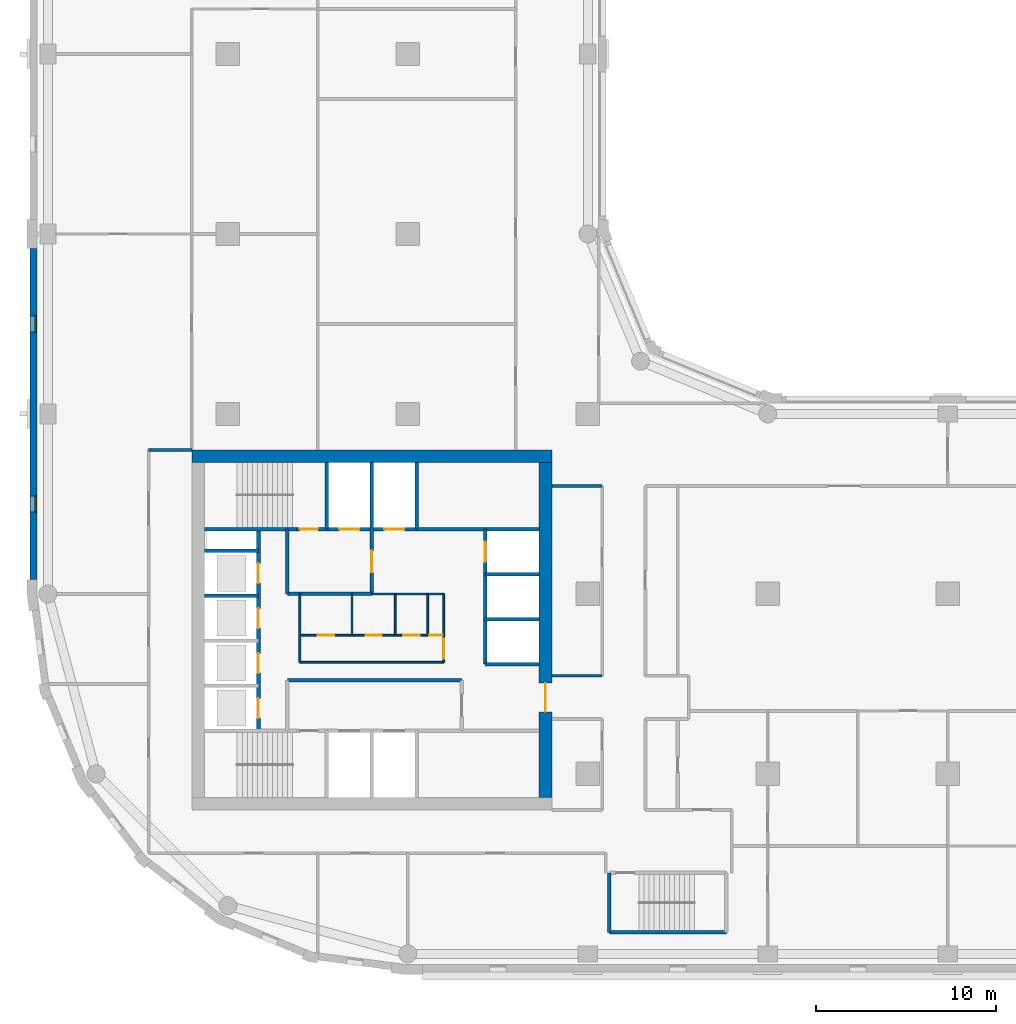
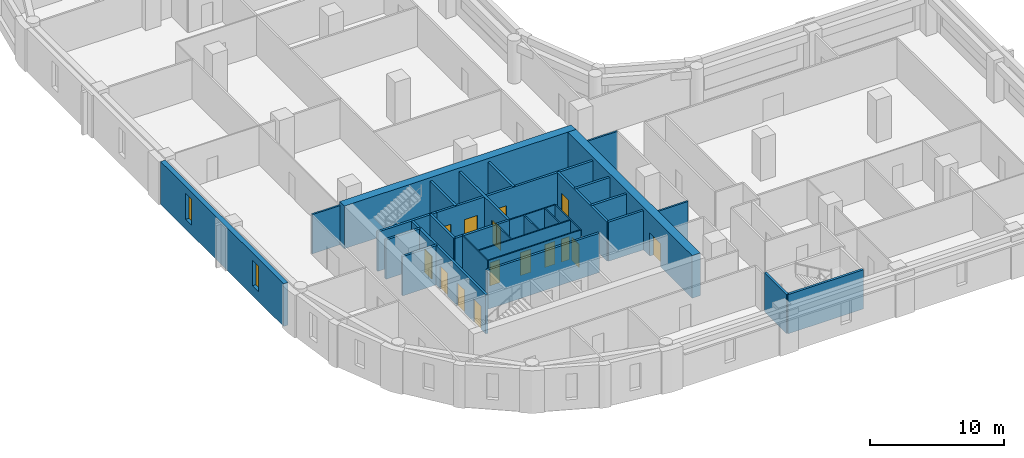
# One storey, part 3 of 10: 31 walls, 15 doors, 2 windows, 17 openings.
"""IFC4 building model written with IfcOpenShell, lengths in metres."""

from ifc_helpers import new_model, si_unit, direction, frame, frame_2d, origin, place, context, subcontext, project, spatial, rectangle, extrude, material, layer, layer_set, type_object, element, fill, save


model = new_model("IFC4")

# Units and contexts
model_context = context("Model", 3, precision=1e-05, world=origin(), true_north=direction((0.0, 1.0)))
body_context = subcontext(model_context, "Body", "Model", "MODEL_VIEW")
ifc_project = project(units=[si_unit("LENGTHUNIT", "METRE"), si_unit("AREAUNIT", "SQUARE_METRE"), si_unit("VOLUMEUNIT", "CUBIC_METRE"), si_unit("PLANEANGLEUNIT", "RADIAN"), si_unit("MASSUNIT", "GRAM", prefix="KILO")], contexts=[model_context])

# Site, building, storey
site_placement = place(None, origin())
site = spatial("IfcSite", under=ifc_project, at=site_placement, CompositionType="ELEMENT")
building_placement = place(site_placement, origin())
building = spatial("IfcBuilding", under=site, at=building_placement, Name="Qaws Garden Tower", CompositionType="ELEMENT")
storey_placement = place(building_placement, frame((0.0, 0.0, 209.699951171875)))
storey = spatial("IfcBuildingStorey", under=building, at=storey_placement, Name="L51", CompositionType="ELEMENT", Elevation=209.699951171875)

# Wall, openings, windows
ifc_material_1 = material(Name="Clay facing brick masonry", Category="masonry")
ifc_layer_1 = layer(ifc_material_1, 0.39990234375)
ifc_layer_set_1 = layer_set([ifc_layer_1], Name="Clay facing brick masonry")
wall_type_1 = type_object("IfcWallType", Name="Brick infill wall 400", PredefinedType="SOLIDWALL", material=ifc_layer_set_1)
wall_1_placement = place(storey_placement, frame((-0.800048828125, 39.199951171875, 0.0), z_axis=(0.0, 0.0, 1.0), x_axis=(0.0, -1.0, 0.0)))
wall_1 = element("IfcWall", 1, at=wall_1_placement, inside=storey, type_object=wall_type_1, Name="E-L51-infill-23", PredefinedType="SOLIDWALL", context=body_context, shape_type="SweptSolid", body=[
    extrude(rectangle(XDim=18.39990234375, YDim=0.39990234375, at=frame_2d((9.199951171875, 0.0))), origin(), (0.0, 0.0, 1.0), 3.900146484375),
])
opening_1_placement = place(wall_1_placement, frame((3.75, 0.0, 0.89990234375)))
opening_1 = element("IfcOpeningElement", 2, at=opening_1_placement, cuts=wall_1, Name="Opening W09", PredefinedType="OPENING", context=body_context, shape_type="SweptSolid", body=[
    extrude(rectangle(XDim=0.89990234375, YDim=2.35009765625, at=frame_2d((0.449951171875, 1.175048828125))), frame((0.0, 0.2099609375, 0.0), z_axis=(0.0, -1.0, 0.0), x_axis=(1.0, 0.0, 0.0)), (0.0, 0.0, 1.0), 0.419921875),
])
opening_2_placement = place(wall_1_placement, frame((13.75, 0.0, 0.89990234375)))
opening_2 = element("IfcOpeningElement", 3, at=opening_2_placement, cuts=wall_1, Name="Opening W09", PredefinedType="OPENING", context=body_context, shape_type="SweptSolid", body=[
    extrude(rectangle(XDim=0.89990234375, YDim=2.35009765625, at=frame_2d((0.449951171875, 1.175048828125))), frame((0.0, 0.2099609375, 0.0), z_axis=(0.0, -1.0, 0.0), x_axis=(1.0, 0.0, 0.0)), (0.0, 0.0, 1.0), 0.419921875),
])
ifc_material_2 = material(Name="Aluminium framed window, clear glazing", Category="aluminium")
window_type = type_object("IfcWindowType", Name="Slit window 900 x 2350", PartitioningType="SINGLE_PANEL", PredefinedType="WINDOW", material=ifc_material_2)
window_1_placement = place(opening_1_placement, origin())
window_1 = element("IfcWindow", 4, at=window_1_placement, inside=storey, type_object=window_type, Name="E-L51-window-23-0", OverallHeight=2.35009765625, OverallWidth=0.89990234375, PartitioningType="SINGLE_PANEL", PredefinedType="WINDOW", context=body_context, shape_type="SweptSolid", body=[
    extrude(rectangle(XDim=0.89990234375, YDim=2.35009765625, at=frame_2d((0.449951171875, 1.175048828125))), frame((0.0, 0.159912109375, 0.0), z_axis=(0.0, -1.0, 0.0), x_axis=(1.0, 0.0, 0.0)), (0.0, 0.0, 1.0), 0.06005859375),
])
fill(opening_1, window_1)
window_2_placement = place(opening_2_placement, origin())
window_2 = element("IfcWindow", 5, at=window_2_placement, inside=storey, type_object=window_type, Name="E-L51-window-24-0", OverallHeight=2.35009765625, OverallWidth=0.89990234375, PartitioningType="SINGLE_PANEL", PredefinedType="WINDOW", context=body_context, shape_type="SweptSolid", body=[
    extrude(rectangle(XDim=0.89990234375, YDim=2.35009765625, at=frame_2d((0.449951171875, 1.175048828125))), frame((0.0, 0.159912109375, 0.0), z_axis=(0.0, -1.0, 0.0), x_axis=(1.0, 0.0, 0.0)), (0.0, 0.0, 1.0), 0.06005859375),
])
fill(opening_2, window_2)

# Wall
ifc_material_3 = material(Name="Plasterboard")
ifc_layer_2 = layer(ifc_material_3, 0.10009765625)
ifc_layer_set_2 = layer_set([ifc_layer_2], Name="Plasterboard")
wall_type_2 = type_object("IfcWallType", Name="Core partition 100", PredefinedType="PARTITIONING", material=ifc_layer_set_2)
wall_2_placement = place(storey_placement, frame((14.0, 16.199951171875, 0.0), z_axis=(0.0, 0.0, 1.0), x_axis=(1.0, 0.0, 0.0)))
element("IfcWall", 6, at=wall_2_placement, inside=storey, type_object=wall_type_2, Name="Core partition", PredefinedType="PARTITIONING", context=body_context, shape_type="SweptSolid", body=[
    extrude(rectangle(XDim=8.0, YDim=0.10009765625, at=frame_2d((4.0, 0.0))), origin(), (0.0, 0.0, 1.0), 3.580078125),
])

# Wall, openings, doors
wall_3_placement = place(storey_placement, frame((14.0, 17.699951171875, 0.0), z_axis=(0.0, 0.0, 1.0), x_axis=(1.0, 0.0, 0.0)))
wall_3 = element("IfcWall", 7, at=wall_3_placement, inside=storey, type_object=wall_type_2, Name="Core partition", PredefinedType="PARTITIONING", context=body_context, shape_type="SweptSolid", body=[
    extrude(rectangle(XDim=8.0, YDim=0.10009765625, at=frame_2d((4.0, 0.0))), origin(), (0.0, 0.0, 1.0), 3.580078125),
])
opening_3_placement = place(wall_3_placement, frame((1.0, 0.0, 0.0)))
opening_3 = element("IfcOpeningElement", 8, at=opening_3_placement, cuts=wall_3, Name="Opening WD18", PredefinedType="OPENING", context=body_context, shape_type="SweptSolid", body=[
    extrude(rectangle(XDim=0.89990234375, YDim=2.10009765625, at=frame_2d((0.449951171875, 1.050048828125))), frame((0.0, 0.06005859375, 0.0), z_axis=(0.0, -1.0, 0.0), x_axis=(1.0, 0.0, 0.0)), (0.0, 0.0, 1.0), 0.1201171875),
])
opening_4_placement = place(wall_3_placement, frame((3.64990234375, 0.0, 0.0)))
opening_4 = element("IfcOpeningElement", 9, at=opening_4_placement, cuts=wall_3, Name="Opening WD19", PredefinedType="OPENING", context=body_context, shape_type="SweptSolid", body=[
    extrude(rectangle(XDim=0.89990234375, YDim=2.10009765625, at=frame_2d((0.449951171875, 1.050048828125))), frame((0.0, 0.06005859375, 0.0), z_axis=(0.0, -1.0, 0.0), x_axis=(1.0, 0.0, 0.0)), (0.0, 0.0, 1.0), 0.1201171875),
])
opening_5_placement = place(wall_3_placement, frame((5.75, 0.0, 0.0)))
opening_5 = element("IfcOpeningElement", 10, at=opening_5_placement, cuts=wall_3, Name="Opening WD20", PredefinedType="OPENING", context=body_context, shape_type="SweptSolid", body=[
    extrude(rectangle(XDim=0.89990234375, YDim=2.10009765625, at=frame_2d((0.449951171875, 1.050048828125))), frame((0.0, 0.06005859375, 0.0), z_axis=(0.0, -1.0, 0.0), x_axis=(1.0, 0.0, 0.0)), (0.0, 0.0, 1.0), 0.1201171875),
])
opening_6_placement = place(wall_3_placement, frame((7.199951171875, 0.0, 0.0)))
opening_6 = element("IfcOpeningElement", 11, at=opening_6_placement, cuts=wall_3, Name="Opening XD21", PredefinedType="OPENING", context=body_context, shape_type="SweptSolid", body=[
    extrude(rectangle(XDim=0.699951171875, YDim=2.10009765625, at=frame_2d((0.35009765625, 1.050048828125))), frame((0.0, 0.06005859375, 0.0), z_axis=(0.0, -1.0, 0.0), x_axis=(1.0, 0.0, 0.0)), (0.0, 0.0, 1.0), 0.1201171875),
])
ifc_material_4 = material(Name="Timber", Category="wood")
door_type_1 = type_object("IfcDoorType", Name="Store door 700x2100", OperationType="SINGLE_SWING_LEFT", PredefinedType="DOOR", material=ifc_material_4)
door_1_placement = place(opening_6_placement, origin())
door_1 = element("IfcDoor", 12, at=door_1_placement, inside=storey, type_object=door_type_1, Name="Cleaner's store door", OperationType="SINGLE_SWING_RIGHT", OverallHeight=2.10009765625, OverallWidth=0.699951171875, PredefinedType="DOOR", context=body_context, shape_type="SweptSolid", body=[
    extrude(rectangle(XDim=0.699951171875, YDim=2.10009765625, at=frame_2d((0.35009765625, 1.050048828125))), frame((0.0, 0.02490234375, 0.0), z_axis=(0.0, -1.0, 0.0), x_axis=(1.0, 0.0, 0.0)), (0.0, 0.0, 1.0), 0.050048828125),
])
fill(opening_6, door_1)
ifc_material_5 = material(Name="Timber", Category="wood")
door_type_2 = type_object("IfcDoorType", Name="WC door 900x2100", OperationType="SINGLE_SWING_LEFT", PredefinedType="DOOR", material=ifc_material_5)
door_2_placement = place(opening_3_placement, origin())
door_2 = element("IfcDoor", 13, at=door_2_placement, inside=storey, type_object=door_type_2, Name="Women's WC door", OperationType="SINGLE_SWING_RIGHT", OverallHeight=2.10009765625, OverallWidth=0.89990234375, PredefinedType="DOOR", context=body_context, shape_type="SweptSolid", body=[
    extrude(rectangle(XDim=0.89990234375, YDim=2.10009765625, at=frame_2d((0.449951171875, 1.050048828125))), frame((0.0, 0.02490234375, 0.0), z_axis=(0.0, -1.0, 0.0), x_axis=(1.0, 0.0, 0.0)), (0.0, 0.0, 1.0), 0.050048828125),
])
fill(opening_3, door_2)
door_3_placement = place(opening_4_placement, origin())
door_3 = element("IfcDoor", 14, at=door_3_placement, inside=storey, type_object=door_type_2, Name="Men's WC door", OperationType="SINGLE_SWING_RIGHT", OverallHeight=2.10009765625, OverallWidth=0.89990234375, PredefinedType="DOOR", context=body_context, shape_type="SweptSolid", body=[
    extrude(rectangle(XDim=0.89990234375, YDim=2.10009765625, at=frame_2d((0.449951171875, 1.050048828125))), frame((0.0, 0.02490234375, 0.0), z_axis=(0.0, -1.0, 0.0), x_axis=(1.0, 0.0, 0.0)), (0.0, 0.0, 1.0), 0.050048828125),
])
fill(opening_4, door_3)
door_4_placement = place(opening_5_placement, origin())
door_4 = element("IfcDoor", 15, at=door_4_placement, inside=storey, type_object=door_type_2, Name="Accessible WC door", OperationType="SINGLE_SWING_RIGHT", OverallHeight=2.10009765625, OverallWidth=0.89990234375, PredefinedType="DOOR", context=body_context, shape_type="SweptSolid", body=[
    extrude(rectangle(XDim=0.89990234375, YDim=2.10009765625, at=frame_2d((0.449951171875, 1.050048828125))), frame((0.0, 0.02490234375, 0.0), z_axis=(0.0, -1.0, 0.0), x_axis=(1.0, 0.0, 0.0)), (0.0, 0.0, 1.0), 0.050048828125),
])
fill(opening_5, door_4)

# Walls
wall_4_placement = place(storey_placement, frame((18.0, 20.0, 0.0), z_axis=(0.0, 0.0, 1.0), x_axis=(1.0, 0.0, 0.0)))
element("IfcWall", 16, at=wall_4_placement, inside=storey, type_object=wall_type_2, Name="Core partition", PredefinedType="PARTITIONING", context=body_context, shape_type="SweptSolid", body=[
    extrude(rectangle(XDim=4.0, YDim=0.10009765625, at=frame_2d((2.0, 0.0))), origin(), (0.0, 0.0, 1.0), 3.580078125),
])
wall_5_placement = place(storey_placement, frame((14.0, 16.199951171875, 0.0), z_axis=(0.0, 0.0, 1.0), x_axis=(0.0, 1.0, 0.0)))
element("IfcWall", 17, at=wall_5_placement, inside=storey, type_object=wall_type_2, Name="Core partition", PredefinedType="PARTITIONING", context=body_context, shape_type="SweptSolid", body=[
    extrude(rectangle(XDim=3.800048828125, YDim=0.10009765625, at=frame_2d((1.89990234375, 0.0))), origin(), (0.0, 0.0, 1.0), 3.580078125),
])
for number, where, z_axis, x_axis, name in (
    (18, (16.89990234375, 17.699951171875, 0.0), (0.0, 0.0, 1.0), (0.0, 1.0, 0.0), "Core partition"),
    (19, (19.300048828125, 17.699951171875, 0.0), (0.0, 0.0, 1.0), (0.0, 1.0, 0.0), "Core partition"),
    (20, (21.10009765625, 17.699951171875, 0.0), (0.0, 0.0, 1.0), (0.0, 1.0, 0.0), "Core partition"),
):
    element("IfcWall", number, at=place(storey_placement, frame(where, z_axis=z_axis, x_axis=x_axis)), inside=storey, type_object=wall_type_2, Name=name, PredefinedType="PARTITIONING", context=body_context, shape_type="SweptSolid", body=[
        extrude(rectangle(XDim=2.300048828125, YDim=0.10009765625, at=frame_2d((1.14990234375, 0.0))), origin(), (0.0, 0.0, 1.0), 3.580078125),
    ])

# Wall, opening, door
wall_6_placement = place(storey_placement, frame((22.0, 16.199951171875, 0.0), z_axis=(0.0, 0.0, 1.0), x_axis=(0.0, 1.0, 0.0)))
wall_6 = element("IfcWall", 21, at=wall_6_placement, inside=storey, type_object=wall_type_2, Name="Core partition", PredefinedType="PARTITIONING", context=body_context, shape_type="SweptSolid", body=[
    extrude(rectangle(XDim=3.800048828125, YDim=0.10009765625, at=frame_2d((1.89990234375, 0.0))), origin(), (0.0, 0.0, 1.0), 3.580078125),
])
opening_7_placement = place(wall_6_placement, frame((0.199951171875, 0.0, 0.0)))
opening_7 = element("IfcOpeningElement", 22, at=opening_7_placement, cuts=wall_6, Name="Opening WL17", PredefinedType="OPENING", context=body_context, shape_type="SweptSolid", body=[
    extrude(rectangle(XDim=1.10009765625, YDim=2.10009765625, at=frame_2d((0.550048828125, 1.050048828125))), frame((0.0, 0.06005859375, 0.0), z_axis=(0.0, -1.0, 0.0), x_axis=(1.0, 0.0, 0.0)), (0.0, 0.0, 1.0), 0.1201171875),
])
ifc_material_6 = material(Name="Timber", Category="wood")
door_type_3 = type_object("IfcDoorType", Name="WC lobby door 1100x2100", OperationType="SINGLE_SWING_LEFT", PredefinedType="DOOR", material=ifc_material_6)
door_5_placement = place(opening_7_placement, origin())
door_5 = element("IfcDoor", 23, at=door_5_placement, inside=storey, type_object=door_type_3, Name="WC lobby door", OperationType="SINGLE_SWING_RIGHT", OverallHeight=2.10009765625, OverallWidth=1.10009765625, PredefinedType="DOOR", context=body_context, shape_type="SweptSolid", body=[
    extrude(rectangle(XDim=1.10009765625, YDim=2.10009765625, at=frame_2d((0.550048828125, 1.050048828125))), frame((0.0, 0.02490234375, 0.0), z_axis=(0.0, -1.0, 0.0), x_axis=(1.0, 0.0, 0.0)), (0.0, 0.0, 1.0), 0.050048828125),
])
fill(opening_7, door_5)

# Walls
ifc_material_7 = material(Name="Concrete C70", Category="concrete")
ifc_layer_3 = layer(ifc_material_7, 0.199951171875)
ifc_layer_set_3 = layer_set([ifc_layer_3], Name="Concrete C70")
wall_type_3 = type_object("IfcWallType", Name="Core shaft wall 200 C70", PredefinedType="SHEAR", material=ifc_layer_set_3)
wall_7_placement = place(storey_placement, frame((31.199951171875, 1.199951171875, 0.0), z_axis=(0.0, 0.0, 1.0), x_axis=(1.0, 0.0, 0.0)))
element("IfcWall", 24, at=wall_7_placement, inside=storey, type_object=wall_type_3, Name="Shaft wall", PredefinedType="SHEAR", context=body_context, shape_type="SweptSolid", body=[
    extrude(rectangle(XDim=6.5, YDim=0.199951171875, at=frame_2d((3.25, 0.0))), origin(), (0.0, 0.0, 1.0), 3.580078125),
])
wall_8_placement = place(storey_placement, frame((13.300048828125, 15.199951171875, 0.0), z_axis=(0.0, 0.0, 1.0), x_axis=(1.0, 0.0, 0.0)))
element("IfcWall", 25, at=wall_8_placement, inside=storey, type_object=wall_type_3, Name="Shaft wall", PredefinedType="SHEAR", context=body_context, shape_type="SweptSolid", body=[
    extrude(rectangle(XDim=9.699951171875, YDim=0.199951171875, at=frame_2d((4.85009765625, 0.0))), origin(), (0.0, 0.0, 1.0), 3.580078125),
])
for number, where, z_axis, x_axis, name in (
    (26, (24.300048828125, 16.10009765625, 0.0), (0.0, 0.0, 1.0), (1.0, 0.0, 0.0), "Shaft wall"),
    (27, (24.300048828125, 18.60009765625, 0.0), (0.0, 0.0, 1.0), (1.0, 0.0, 0.0), "Shaft wall"),
    (28, (8.699951171875, 19.89990234375, 0.0), (0.0, 0.0, 1.0), (1.0, 0.0, 0.0), "Shaft wall"),
):
    element("IfcWall", number, at=place(storey_placement, frame(where, z_axis=z_axis, x_axis=x_axis)), inside=storey, type_object=wall_type_3, Name=name, PredefinedType="SHEAR", context=body_context, shape_type="SweptSolid", body=[
        extrude(rectangle(XDim=3.0, YDim=0.199951171875, at=frame_2d((1.5, 0.0))), origin(), (0.0, 0.0, 1.0), 3.580078125),
    ])
wall_9_placement = place(storey_placement, frame((13.300048828125, 20.0, 0.0), z_axis=(0.0, 0.0, 1.0), x_axis=(1.0, 0.0, 0.0)))
element("IfcWall", 29, at=wall_9_placement, inside=storey, type_object=wall_type_3, Name="Shaft wall", PredefinedType="SHEAR", context=body_context, shape_type="SweptSolid", body=[
    extrude(rectangle(XDim=4.699951171875, YDim=0.199951171875, at=frame_2d((2.35009765625, 0.0))), origin(), (0.0, 0.0, 1.0), 3.580078125),
])
for number, where, z_axis, x_axis, name in (
    (30, (24.300048828125, 21.10009765625, 0.0), (0.0, 0.0, 1.0), (1.0, 0.0, 0.0), "Shaft wall"),
    (31, (8.699951171875, 22.39990234375, 0.0), (0.0, 0.0, 1.0), (1.0, 0.0, 0.0), "Shaft wall"),
):
    element("IfcWall", number, at=place(storey_placement, frame(where, z_axis=z_axis, x_axis=x_axis)), inside=storey, type_object=wall_type_3, Name=name, PredefinedType="SHEAR", context=body_context, shape_type="SweptSolid", body=[
        extrude(rectangle(XDim=3.0, YDim=0.199951171875, at=frame_2d((1.5, 0.0))), origin(), (0.0, 0.0, 1.0), 3.580078125),
    ])
wall_10_placement = place(storey_placement, frame((8.699951171875, 23.60009765625, 0.0), z_axis=(0.0, 0.0, 1.0), x_axis=(1.0, 0.0, 0.0)))
element("IfcWall", 32, at=wall_10_placement, inside=storey, type_object=wall_type_3, Name="Shaft wall", PredefinedType="SHEAR", context=body_context, shape_type="SweptSolid", body=[
    extrude(rectangle(XDim=5.10009765625, YDim=0.199951171875, at=frame_2d((2.550048828125, 0.0))), origin(), (0.0, 0.0, 1.0), 3.580078125),
])

# Wall, openings, doors
wall_11_placement = place(storey_placement, frame((13.800048828125, 23.60009765625, 0.0), z_axis=(0.0, 0.0, 1.0), x_axis=(1.0, 0.0, 0.0)))
wall_11 = element("IfcWall", 33, at=wall_11_placement, inside=storey, type_object=wall_type_3, Name="Shaft wall", PredefinedType="SHEAR", context=body_context, shape_type="SweptSolid", body=[
    extrude(rectangle(XDim=13.5, YDim=0.199951171875, at=frame_2d((6.75, 0.0))), origin(), (0.0, 0.0, 1.0), 3.580078125),
])
opening_8_placement = place(wall_11_placement, frame((2.39990234375, 0.0, 0.0)))
opening_8 = element("IfcOpeningElement", 34, at=opening_8_placement, cuts=wall_11, Name="Opening LD08", PredefinedType="OPENING", context=body_context, shape_type="SweptSolid", body=[
    extrude(rectangle(XDim=1.10009765625, YDim=2.10009765625, at=frame_2d((0.550048828125, 1.050048828125))), frame((0.0, 0.10986328125, 0.0), z_axis=(0.0, -1.0, 0.0), x_axis=(1.0, 0.0, 0.0)), (0.0, 0.0, 1.0), 0.219970703125),
])
opening_9_placement = place(wall_11_placement, frame((4.89990234375, 0.0, 0.0)))
opening_9 = element("IfcOpeningElement", 35, at=opening_9_placement, cuts=wall_11, Name="Opening LD09", PredefinedType="OPENING", context=body_context, shape_type="SweptSolid", body=[
    extrude(rectangle(XDim=1.10009765625, YDim=2.10009765625, at=frame_2d((0.550048828125, 1.050048828125))), frame((0.0, 0.10986328125, 0.0), z_axis=(0.0, -1.0, 0.0), x_axis=(1.0, 0.0, 0.0)), (0.0, 0.0, 1.0), 0.219970703125),
])
opening_10_placement = place(wall_11_placement, frame((0.199951171875, 0.0, 0.0)))
opening_10 = element("IfcOpeningElement", 36, at=opening_10_placement, cuts=wall_11, Name="Opening SD11", PredefinedType="OPENING", context=body_context, shape_type="SweptSolid", body=[
    extrude(rectangle(XDim=1.0, YDim=2.10009765625, at=frame_2d((0.5, 1.050048828125))), frame((0.0, 0.10986328125, 0.0), z_axis=(0.0, -1.0, 0.0), x_axis=(1.0, 0.0, 0.0)), (0.0, 0.0, 1.0), 0.219970703125),
])
ifc_material_8 = material(Name="Steel S235", Category="steel")
door_type_4 = type_object("IfcDoorType", Name="Landing door 1100x2100", OperationType="DOUBLE_DOOR_SLIDING", PredefinedType="DOOR", material=ifc_material_8)
door_6_placement = place(opening_8_placement, origin())
door_6 = element("IfcDoor", 37, at=door_6_placement, inside=storey, type_object=door_type_4, Name="Lift FF3 landing door", OperationType="DOUBLE_DOOR_SLIDING", OverallHeight=2.10009765625, OverallWidth=1.10009765625, PredefinedType="DOOR", context=body_context, shape_type="SweptSolid", body=[
    extrude(rectangle(XDim=1.10009765625, YDim=2.10009765625, at=frame_2d((0.550048828125, 1.050048828125))), frame((0.0, 0.02490234375, 0.0), z_axis=(0.0, -1.0, 0.0), x_axis=(1.0, 0.0, 0.0)), (0.0, 0.0, 1.0), 0.050048828125),
])
fill(opening_8, door_6)
door_7_placement = place(opening_9_placement, origin())
door_7 = element("IfcDoor", 38, at=door_7_placement, inside=storey, type_object=door_type_4, Name="Lift SV2 landing door", OperationType="DOUBLE_DOOR_SLIDING", OverallHeight=2.10009765625, OverallWidth=1.10009765625, PredefinedType="DOOR", context=body_context, shape_type="SweptSolid", body=[
    extrude(rectangle(XDim=1.10009765625, YDim=2.10009765625, at=frame_2d((0.550048828125, 1.050048828125))), frame((0.0, 0.02490234375, 0.0), z_axis=(0.0, -1.0, 0.0), x_axis=(1.0, 0.0, 0.0)), (0.0, 0.0, 1.0), 0.050048828125),
])
fill(opening_9, door_7)
ifc_material_9 = material(Name="Steel S235", Category="steel")
door_type_5 = type_object("IfcDoorType", Name="Stair door 1000x2100", OperationType="SINGLE_SWING_RIGHT", PredefinedType="DOOR", material=ifc_material_9)
door_8_placement = place(opening_10_placement, origin())
door_8 = element("IfcDoor", 39, at=door_8_placement, inside=storey, type_object=door_type_5, Name="Stair 4 door", OperationType="SINGLE_SWING_RIGHT", OverallHeight=2.10009765625, OverallWidth=1.0, PredefinedType="DOOR", context=body_context, shape_type="SweptSolid", body=[
    extrude(rectangle(XDim=1.0, YDim=2.10009765625, at=frame_2d((0.5, 1.050048828125))), frame((0.0, 0.02490234375, 0.0), z_axis=(0.0, -1.0, 0.0), x_axis=(1.0, 0.0, 0.0)), (0.0, 0.0, 1.0), 0.050048828125),
])
fill(opening_10, door_8)

wall_12_placement = place(storey_placement, frame((11.699951171875, 12.39990234375, 0.0), z_axis=(0.0, 0.0, 1.0), x_axis=(0.0, 1.0, 0.0)))
wall_12 = element("IfcWall", 40, at=wall_12_placement, inside=storey, type_object=wall_type_3, Name="Shaft wall", PredefinedType="SHEAR", context=body_context, shape_type="SweptSolid", body=[
    extrude(rectangle(XDim=11.2001953125, YDim=0.199951171875, at=frame_2d((5.60009765625, 0.0))), origin(), (0.0, 0.0, 1.0), 3.580078125),
])
opening_11_placement = place(wall_12_placement, frame((0.699951171875, 0.0, 0.0)))
opening_11 = element("IfcOpeningElement", 41, at=opening_11_placement, cuts=wall_12, Name="Opening LD01", PredefinedType="OPENING", context=body_context, shape_type="SweptSolid", body=[
    extrude(rectangle(XDim=1.10009765625, YDim=2.10009765625, at=frame_2d((0.550048828125, 1.050048828125))), frame((0.0, 0.10986328125, 0.0), z_axis=(0.0, -1.0, 0.0), x_axis=(1.0, 0.0, 0.0)), (0.0, 0.0, 1.0), 0.219970703125),
])
opening_12_placement = place(wall_12_placement, frame((3.199951171875, 0.0, 0.0)))
opening_12 = element("IfcOpeningElement", 42, at=opening_12_placement, cuts=wall_12, Name="Opening LD02", PredefinedType="OPENING", context=body_context, shape_type="SweptSolid", body=[
    extrude(rectangle(XDim=1.10009765625, YDim=2.10009765625, at=frame_2d((0.550048828125, 1.050048828125))), frame((0.0, 0.10986328125, 0.0), z_axis=(0.0, -1.0, 0.0), x_axis=(1.0, 0.0, 0.0)), (0.0, 0.0, 1.0), 0.219970703125),
])
opening_13_placement = place(wall_12_placement, frame((5.699951171875, 0.0, 0.0)))
opening_13 = element("IfcOpeningElement", 43, at=opening_13_placement, cuts=wall_12, Name="Opening LD03", PredefinedType="OPENING", context=body_context, shape_type="SweptSolid", body=[
    extrude(rectangle(XDim=1.10009765625, YDim=2.10009765625, at=frame_2d((0.550048828125, 1.050048828125))), frame((0.0, 0.10986328125, 0.0), z_axis=(0.0, -1.0, 0.0), x_axis=(1.0, 0.0, 0.0)), (0.0, 0.0, 1.0), 0.219970703125),
])
opening_14_placement = place(wall_12_placement, frame((8.199951171875, 0.0, 0.0)))
opening_14 = element("IfcOpeningElement", 44, at=opening_14_placement, cuts=wall_12, Name="Opening LD04", PredefinedType="OPENING", context=body_context, shape_type="SweptSolid", body=[
    extrude(rectangle(XDim=1.10009765625, YDim=2.10009765625, at=frame_2d((0.550048828125, 1.050048828125))), frame((0.0, 0.10986328125, 0.0), z_axis=(0.0, -1.0, 0.0), x_axis=(1.0, 0.0, 0.0)), (0.0, 0.0, 1.0), 0.219970703125),
])
door_9_placement = place(opening_11_placement, origin())
door_9 = element("IfcDoor", 45, at=door_9_placement, inside=storey, type_object=door_type_4, Name="Lift W1 landing door", OperationType="DOUBLE_DOOR_SLIDING", OverallHeight=2.10009765625, OverallWidth=1.10009765625, PredefinedType="DOOR", context=body_context, shape_type="SweptSolid", body=[
    extrude(rectangle(XDim=1.10009765625, YDim=2.10009765625, at=frame_2d((0.550048828125, 1.050048828125))), frame((0.0, 0.02490234375, 0.0), z_axis=(0.0, -1.0, 0.0), x_axis=(1.0, 0.0, 0.0)), (0.0, 0.0, 1.0), 0.050048828125),
])
fill(opening_11, door_9)
door_10_placement = place(opening_12_placement, origin())
door_10 = element("IfcDoor", 46, at=door_10_placement, inside=storey, type_object=door_type_4, Name="Lift W2 landing door", OperationType="DOUBLE_DOOR_SLIDING", OverallHeight=2.10009765625, OverallWidth=1.10009765625, PredefinedType="DOOR", context=body_context, shape_type="SweptSolid", body=[
    extrude(rectangle(XDim=1.10009765625, YDim=2.10009765625, at=frame_2d((0.550048828125, 1.050048828125))), frame((0.0, 0.02490234375, 0.0), z_axis=(0.0, -1.0, 0.0), x_axis=(1.0, 0.0, 0.0)), (0.0, 0.0, 1.0), 0.050048828125),
])
fill(opening_12, door_10)
door_11_placement = place(opening_13_placement, origin())
door_11 = element("IfcDoor", 47, at=door_11_placement, inside=storey, type_object=door_type_4, Name="Lift W3 landing door", OperationType="DOUBLE_DOOR_SLIDING", OverallHeight=2.10009765625, OverallWidth=1.10009765625, PredefinedType="DOOR", context=body_context, shape_type="SweptSolid", body=[
    extrude(rectangle(XDim=1.10009765625, YDim=2.10009765625, at=frame_2d((0.550048828125, 1.050048828125))), frame((0.0, 0.02490234375, 0.0), z_axis=(0.0, -1.0, 0.0), x_axis=(1.0, 0.0, 0.0)), (0.0, 0.0, 1.0), 0.050048828125),
])
fill(opening_13, door_11)
door_12_placement = place(opening_14_placement, origin())
door_12 = element("IfcDoor", 48, at=door_12_placement, inside=storey, type_object=door_type_4, Name="Lift W4 landing door", OperationType="DOUBLE_DOOR_SLIDING", OverallHeight=2.10009765625, OverallWidth=1.10009765625, PredefinedType="DOOR", context=body_context, shape_type="SweptSolid", body=[
    extrude(rectangle(XDim=1.10009765625, YDim=2.10009765625, at=frame_2d((0.550048828125, 1.050048828125))), frame((0.0, 0.02490234375, 0.0), z_axis=(0.0, -1.0, 0.0), x_axis=(1.0, 0.0, 0.0)), (0.0, 0.0, 1.0), 0.050048828125),
])
fill(opening_14, door_12)

# Walls
wall_13_placement = place(storey_placement, frame((13.300048828125, 20.0, 0.0), z_axis=(0.0, 0.0, 1.0), x_axis=(0.0, 1.0, 0.0)))
element("IfcWall", 49, at=wall_13_placement, inside=storey, type_object=wall_type_3, Name="Shaft wall", PredefinedType="SHEAR", context=body_context, shape_type="SweptSolid", body=[
    extrude(rectangle(XDim=3.60009765625, YDim=0.199951171875, at=frame_2d((1.800048828125, 0.0))), origin(), (0.0, 0.0, 1.0), 3.580078125),
])
wall_14_placement = place(storey_placement, frame((15.5, 23.60009765625, 0.0), z_axis=(0.0, 0.0, 1.0), x_axis=(0.0, 1.0, 0.0)))
element("IfcWall", 50, at=wall_14_placement, inside=storey, type_object=wall_type_3, Name="Shaft wall", PredefinedType="SHEAR", context=body_context, shape_type="SweptSolid", body=[
    extrude(rectangle(XDim=3.699951171875, YDim=0.199951171875, at=frame_2d((1.85009765625, 0.0))), origin(), (0.0, 0.0, 1.0), 3.580078125),
])

# Wall, opening, door
wall_15_placement = place(storey_placement, frame((18.0, 20.0, 0.0), z_axis=(0.0, 0.0, 1.0), x_axis=(0.0, 1.0, 0.0)))
wall_15 = element("IfcWall", 51, at=wall_15_placement, inside=storey, type_object=wall_type_3, Name="Shaft wall", PredefinedType="SHEAR", context=body_context, shape_type="SweptSolid", body=[
    extrude(rectangle(XDim=7.300048828125, YDim=0.199951171875, at=frame_2d((3.64990234375, 0.0))), origin(), (0.0, 0.0, 1.0), 3.580078125),
])
opening_15_placement = place(wall_15_placement, frame((1.199951171875, 0.0, 0.0)))
opening_15 = element("IfcOpeningElement", 52, at=opening_15_placement, cuts=wall_15, Name="Opening FD16", PredefinedType="OPENING", context=body_context, shape_type="SweptSolid", body=[
    extrude(rectangle(XDim=1.199951171875, YDim=2.10009765625, at=frame_2d((0.60009765625, 1.050048828125))), frame((0.0, 0.10986328125, 0.0), z_axis=(0.0, -1.0, 0.0), x_axis=(1.0, 0.0, 0.0)), (0.0, 0.0, 1.0), 0.219970703125),
])
ifc_material_10 = material(Name="Steel S235", Category="steel")
door_type_6 = type_object("IfcDoorType", Name="Lobby door 1200x2100", OperationType="DOUBLE_DOOR_SINGLE_SWING", PredefinedType="DOOR", material=ifc_material_10)
door_13_placement = place(opening_15_placement, origin())
door_13 = element("IfcDoor", 53, at=door_13_placement, inside=storey, type_object=door_type_6, Name="Fire-fighting lobby door", OperationType="DOUBLE_DOOR_SINGLE_SWING", OverallHeight=2.10009765625, OverallWidth=1.199951171875, PredefinedType="DOOR", context=body_context, shape_type="SweptSolid", body=[
    extrude(rectangle(XDim=1.199951171875, YDim=2.10009765625, at=frame_2d((0.60009765625, 1.050048828125))), frame((0.0, 0.02490234375, 0.0), z_axis=(0.0, -1.0, 0.0), x_axis=(1.0, 0.0, 0.0)), (0.0, 0.0, 1.0), 0.050048828125),
])
fill(opening_15, door_13)

# Wall
wall_16_placement = place(storey_placement, frame((20.5, 23.60009765625, 0.0), z_axis=(0.0, 0.0, 1.0), x_axis=(0.0, 1.0, 0.0)))
element("IfcWall", 54, at=wall_16_placement, inside=storey, type_object=wall_type_3, Name="Shaft wall", PredefinedType="SHEAR", context=body_context, shape_type="SweptSolid", body=[
    extrude(rectangle(XDim=3.699951171875, YDim=0.199951171875, at=frame_2d((1.85009765625, 0.0))), origin(), (0.0, 0.0, 1.0), 3.580078125),
])

# Wall, opening, door
wall_17_placement = place(storey_placement, frame((24.300048828125, 16.10009765625, 0.0), z_axis=(0.0, 0.0, 1.0), x_axis=(0.0, 1.0, 0.0)))
wall_17 = element("IfcWall", 55, at=wall_17_placement, inside=storey, type_object=wall_type_3, Name="Shaft wall", PredefinedType="SHEAR", context=body_context, shape_type="SweptSolid", body=[
    extrude(rectangle(XDim=7.5, YDim=0.199951171875, at=frame_2d((3.75, 0.0))), origin(), (0.0, 0.0, 1.0), 3.580078125),
])
opening_16_placement = place(wall_17_placement, frame((5.699951171875, 0.0, 0.0)))
opening_16 = element("IfcOpeningElement", 56, at=opening_16_placement, cuts=wall_17, Name="Opening LD05", PredefinedType="OPENING", context=body_context, shape_type="SweptSolid", body=[
    extrude(rectangle(XDim=1.10009765625, YDim=2.10009765625, at=frame_2d((0.550048828125, 1.050048828125))), frame((0.0, 0.10986328125, 0.0), z_axis=(0.0, -1.0, 0.0), x_axis=(1.0, 0.0, 0.0)), (0.0, 0.0, 1.0), 0.219970703125),
])
door_14_placement = place(opening_16_placement, origin())
door_14 = element("IfcDoor", 57, at=door_14_placement, inside=storey, type_object=door_type_4, Name="Lift E3 landing door", OperationType="DOUBLE_DOOR_SLIDING", OverallHeight=2.10009765625, OverallWidth=1.10009765625, PredefinedType="DOOR", context=body_context, shape_type="SweptSolid", body=[
    extrude(rectangle(XDim=1.10009765625, YDim=2.10009765625, at=frame_2d((0.550048828125, 1.050048828125))), frame((0.0, 0.02490234375, 0.0), z_axis=(0.0, -1.0, 0.0), x_axis=(1.0, 0.0, 0.0)), (0.0, 0.0, 1.0), 0.050048828125),
])
fill(opening_16, door_14)

# Wall
wall_18_placement = place(storey_placement, frame((31.199951171875, 1.199951171875, 0.0), z_axis=(0.0, 0.0, 1.0), x_axis=(0.0, 1.0, 0.0)))
element("IfcWall", 58, at=wall_18_placement, inside=storey, type_object=wall_type_3, Name="Shaft wall", PredefinedType="SHEAR", context=body_context, shape_type="SweptSolid", body=[
    extrude(rectangle(XDim=3.300048828125, YDim=0.199951171875, at=frame_2d((1.64990234375, 0.0))), origin(), (0.0, 0.0, 1.0), 3.580078125),
])

# Wall, opening, door
ifc_material_11 = material(Name="Concrete C70", Category="concrete")
ifc_layer_4 = layer(ifc_material_11, 0.699951171875)
ifc_layer_set_4 = layer_set([ifc_layer_4], Name="Concrete C70")
wall_type_4 = type_object("IfcWallType", Name="Core wall 700 C70", PredefinedType="SHEAR", material=ifc_layer_set_4)
wall_19_placement = place(storey_placement, frame((27.64990234375, 8.699951171875, 0.0), z_axis=(0.0, 0.0, 1.0), x_axis=(0.0, 1.0, 0.0)))
wall_19 = element("IfcWall", 59, at=wall_19_placement, inside=storey, type_object=wall_type_4, Name="Core wall L51 east", PredefinedType="SHEAR", context=body_context, shape_type="SweptSolid", body=[
    extrude(rectangle(XDim=18.60009765625, YDim=0.699951171875, at=frame_2d((9.300048828125, 0.0))), origin(), (0.0, 0.0, 1.0), 3.900146484375),
])
opening_17_placement = place(wall_19_placement, frame((4.75, 0.0, 0.0)))
opening_17 = element("IfcOpeningElement", 60, at=opening_17_placement, cuts=wall_19, Name="Opening ED22", PredefinedType="OPENING", context=body_context, shape_type="SweptSolid", body=[
    extrude(rectangle(XDim=1.60009765625, YDim=2.10009765625, at=frame_2d((0.800048828125, 1.050048828125))), frame((0.0, 0.35986328125, 0.0), z_axis=(0.0, -1.0, 0.0), x_axis=(1.0, 0.0, 0.0)), (0.0, 0.0, 1.0), 0.719970703125),
])
ifc_material_12 = material(Name="Steel S235", Category="steel")
door_type_7 = type_object("IfcDoorType", Name="Core entrance door 1600x2100", OperationType="DOUBLE_DOOR_SINGLE_SWING", PredefinedType="DOOR", material=ifc_material_12)
door_15_placement = place(opening_17_placement, origin())
door_15 = element("IfcDoor", 61, at=door_15_placement, inside=storey, type_object=door_type_7, Name="Core entrance door", OperationType="DOUBLE_DOOR_SINGLE_SWING", OverallHeight=2.10009765625, OverallWidth=1.60009765625, PredefinedType="DOOR", context=body_context, shape_type="SweptSolid", body=[
    extrude(rectangle(XDim=1.60009765625, YDim=2.10009765625, at=frame_2d((0.800048828125, 1.050048828125))), frame((0.0, 0.02490234375, 0.0), z_axis=(0.0, -1.0, 0.0), x_axis=(1.0, 0.0, 0.0)), (0.0, 0.0, 1.0), 0.050048828125),
])
fill(opening_17, door_15)

# Walls
wall_20_placement = place(storey_placement, frame((28.0, 27.64990234375, 0.0), z_axis=(0.0, 0.0, 1.0), x_axis=(-1.0, 0.0, 0.0)))
element("IfcWall", 62, at=wall_20_placement, inside=storey, type_object=wall_type_4, Name="Core wall L51 north", PredefinedType="SHEAR", context=body_context, shape_type="SweptSolid", body=[
    extrude(rectangle(XDim=20.0, YDim=0.699951171875, at=frame_2d((10.0, 0.0))), origin(), (0.0, 0.0, 1.0), 3.900146484375),
])
ifc_material_13 = material(Name="Gypsum board partition")
ifc_layer_5 = layer(ifc_material_13, 0.14990234375)
ifc_layer_set_5 = layer_set([ifc_layer_5], Name="Gypsum board partition")
wall_type_5 = type_object("IfcWallType", Name="PARTITION 150 EI 60", PredefinedType="PARTITIONING", material=ifc_layer_set_5)
for number, where, z_axis, x_axis, name in (
    (63, (28.0, 15.449951171875, 0.0), (0.0, 0.0, 1.0), (1.0, 0.0, 0.0), "O-L51-wall-043"),
    (64, (28.0, 26.0, 0.0), (0.0, 0.0, 1.0), (1.0, 0.0, 0.0), "O-L51-wall-046"),
):
    element("IfcWall", number, at=place(storey_placement, frame(where, z_axis=z_axis, x_axis=x_axis)), inside=storey, type_object=wall_type_5, Name=name, PredefinedType="PARTITIONING", context=body_context, shape_type="SweptSolid", body=[
        extrude(rectangle(XDim=2.800048828125, YDim=0.14990234375, at=frame_2d((1.39990234375, 0.0))), origin(), (0.0, 0.0, 1.0), 3.580078125),
    ])
wall_21_placement = place(storey_placement, frame((5.60009765625, 28.0, 0.0), z_axis=(0.0, 0.0, 1.0), x_axis=(1.0, 0.0, 0.0)))
element("IfcWall", 65, at=wall_21_placement, inside=storey, type_object=wall_type_5, Name="O-L51-wall-048", PredefinedType="PARTITIONING", context=body_context, shape_type="SweptSolid", body=[
    extrude(rectangle(XDim=2.39990234375, YDim=0.14990234375, at=frame_2d((1.199951171875, 0.0))), origin(), (0.0, 0.0, 1.0), 3.580078125),
])

save(model, "model.ifc")
